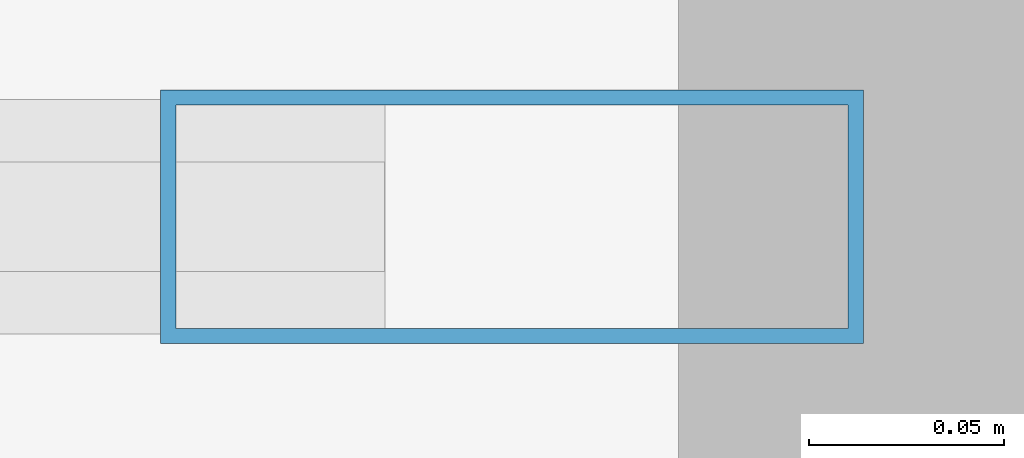
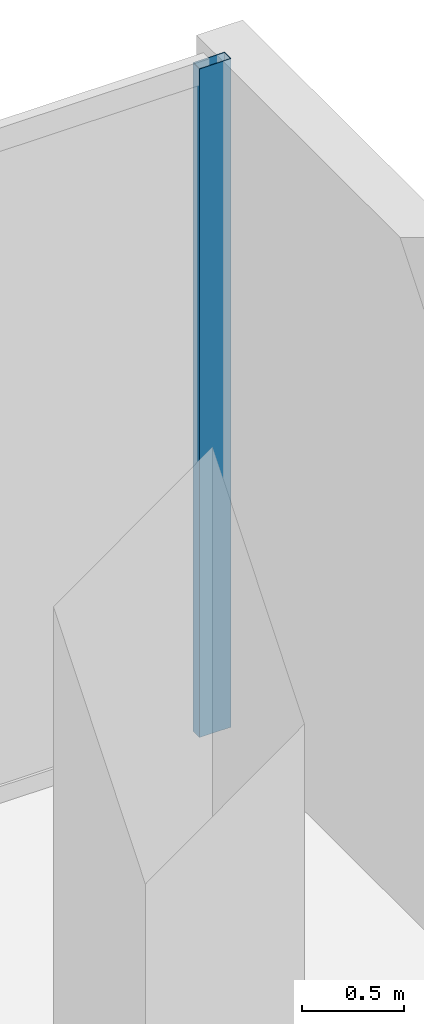
# One storey, part 19 of 39: 1 member, 1 element without a shape of its own.
"""IFC4 building model written with IfcOpenShell, lengths in metres."""

from ifc_helpers import new_model, si_unit, direction, frame, origin, origin_2d, place, context, subcontext, project, spatial, hollow_rectangle, extrude, material, layer, layer_set, material_profile, profile_set, type_object, element, aggregate, save


model = new_model("IFC4")

# Units and contexts
model_context = context("Model", 3, precision=1e-05, world=origin(), true_north=direction((0.0, 1.0)))
body_context = subcontext(model_context, "Body", "Model", "MODEL_VIEW")
ifc_project = project(units=[si_unit("LENGTHUNIT", "METRE"), si_unit("AREAUNIT", "SQUARE_METRE"), si_unit("VOLUMEUNIT", "CUBIC_METRE"), si_unit("PLANEANGLEUNIT", "RADIAN"), si_unit("MASSUNIT", "GRAM", prefix="KILO")], contexts=[model_context])

# Site, building, storey
site_placement = place(None, origin())
site = spatial("IfcSite", under=ifc_project, at=site_placement, CompositionType="ELEMENT")
building_placement = place(site_placement, origin())
building = spatial("IfcBuilding", under=site, at=building_placement, Name="Haolan Belvedere Tower", CompositionType="ELEMENT")
storey_placement = place(building_placement, frame((0.0, 0.0, 19.800048828125)))
storey = spatial("IfcBuildingStorey", under=building, at=storey_placement, Name="L04", CompositionType="ELEMENT", Elevation=19.800048828125)

# Curtain wall, member
ifc_material_1 = material(Name="Anodised champagne-silver aluminium 6063-T6 and Low-E glass", Category="aluminium")
ifc_layer = layer(ifc_material_1, 0.179931640625, Name="Anodised champagne-silver aluminium 6063-T6 and Low-E glass")
ifc_layer_set = layer_set([ifc_layer], Name="Anodised champagne-silver aluminium 6063-T6 and Low-E glass")
curtain_wall_type = type_object("IfcCurtainWallType", Name="CW-SYS-01", PredefinedType="NOTDEFINED", material=ifc_layer_set)
curtain_wall_placement = place(storey_placement, origin())
curtain_wall = element("IfcCurtainWall", 1, at=curtain_wall_placement, inside=storey, type_object=curtain_wall_type, Name="L04 CW-SYS-01 ribbon curtain wall 3.1", PredefinedType="NOTDEFINED")
ifc_material_2 = material(Name="Anodised aluminium 6063-T6", Category="aluminium")
ifc_material_profile = material_profile(ifc_material_2, hollow_rectangle(XDim=0.06494140625, YDim=0.179931640625, WallThickness=0.00390625, at=origin_2d()), Name="Anodised aluminium 6063-T6")
ifc_profile_set = profile_set([ifc_material_profile], Name="Anodised aluminium 6063-T6")
member_type = type_object("IfcMemberType", Name="CW-SYS-01-MUL", PredefinedType="MULLION", material=ifc_profile_set)
member_placement = place(storey_placement, frame((71.697509765625, 53.8701171875, 0.0), z_axis=(0.0, 0.0, 1.0), x_axis=(0.0, -1.0, 0.0)))
member = element("IfcMember", 2, at=member_placement, type_object=member_type, Name="CW-01 mullion 1", PredefinedType="MULLION", context=body_context, shape_type="SweptSolid", body=[
    extrude(hollow_rectangle(XDim=0.06494140625, YDim=0.179931640625, WallThickness=0.00390625, at=origin_2d()), origin(), (0.0, 0.0, 1.0), 4.0),
])
aggregate(curtain_wall, [member])

save(model, "model.ifc")
